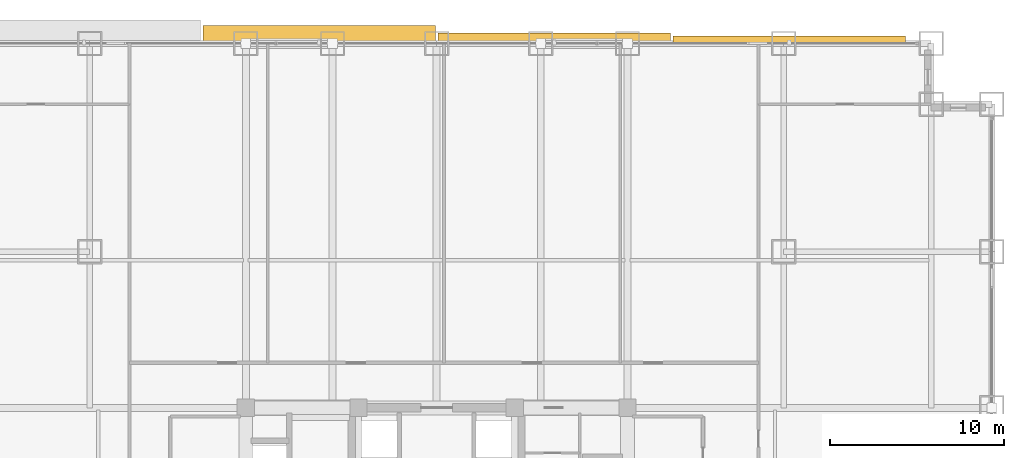
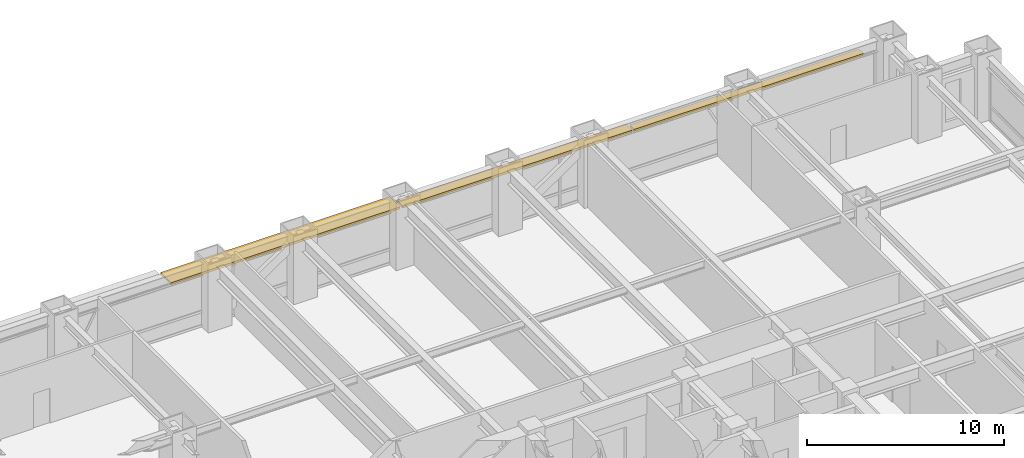
# One storey, part 31 of 31: 3 shading devices.
"""IFC4 building model written with IfcOpenShell, lengths in metres."""

from ifc_helpers import new_model, si_unit, direction, frame, origin, origin_2d, place, context, subcontext, project, spatial, rectangle, extrude, source, transform, mapped, material, layer, layer_set, type_object, element, save


model = new_model("IFC4")

# Units and contexts
model_context = context("Model", 3, precision=1e-05, world=origin(), true_north=direction((0.0, 1.0)))
body_context = subcontext(model_context, "Body", "Model", "MODEL_VIEW")
ifc_project = project(units=[si_unit("LENGTHUNIT", "METRE"), si_unit("AREAUNIT", "SQUARE_METRE"), si_unit("VOLUMEUNIT", "CUBIC_METRE"), si_unit("PLANEANGLEUNIT", "RADIAN"), si_unit("MASSUNIT", "GRAM", prefix="KILO")], contexts=[model_context])

# Site, building, storey
site_placement = place(None, origin())
site = spatial("IfcSite", under=ifc_project, at=site_placement, CompositionType="ELEMENT")
building_placement = place(site_placement, origin())
building = spatial("IfcBuilding", under=site, at=building_placement, Name="Khorayat Bourse Tower", CompositionType="ELEMENT")
storey_placement = place(building_placement, frame((0.0, 0.0, 32.60009765625)))
storey = spatial("IfcBuildingStorey", under=building, at=storey_placement, Name="L06", CompositionType="ELEMENT", Elevation=32.60009765625)

# Shading devices
ifc_material = material(Name="Precast concrete C45/55", Category="concrete")
ifc_layer = layer(ifc_material, 0.139892578125)
ifc_layer_set = layer_set([ifc_layer], Name="Precast concrete C45/55")
shading_device_type = type_object("IfcShadingDeviceType", Name="SHD-WAVE-TRAY-B", PredefinedType="USERDEFINED", material=ifc_layer_set)
shared_shape_1 = source(origin(), body_context, "Body", "SweptSolid", [
    extrude(rectangle(XDim=13.409912109375, YDim=1.058349609375, at=origin_2d()), origin(), (0.0, 0.0, 1.0), 0.139892578125),
])
shading_device_1_placement = place(storey_placement, frame((-6.77490234375, 32.50927734375, 3.18994140625), z_axis=(0.0, 0.0, 1.0), x_axis=(1.0, 0.0, 0.0)))
element("IfcShadingDevice", 1, at=shading_device_1_placement, inside=storey, type_object=shading_device_type, Name="L06 Sinusoidal Wave Sunshade Tray N-2", ObjectType="SUNSHADE", PredefinedType="USERDEFINED", context=body_context, shape_type="MappedRepresentation", body=[
    mapped(shared_shape_1, transform((0.0, 0.0, 0.0), scale=1.0)),
])
shared_shape_2 = source(origin(), body_context, "Body", "SweptSolid", [
    extrude(rectangle(XDim=13.409912109375, YDim=0.627197265625, at=origin_2d()), origin(), (0.0, 0.0, 1.0), 0.139892578125),
])
shading_device_2_placement = place(storey_placement, frame((6.77490234375, 32.293701171875, 3.18994140625), z_axis=(0.0, 0.0, 1.0), x_axis=(1.0, 0.0, 0.0)))
element("IfcShadingDevice", 2, at=shading_device_2_placement, inside=storey, type_object=shading_device_type, Name="L06 Sinusoidal Wave Sunshade Tray N-3", ObjectType="SUNSHADE", PredefinedType="USERDEFINED", context=body_context, shape_type="MappedRepresentation", body=[
    mapped(shared_shape_2, transform((0.0, 0.0, 0.0), scale=1.0)),
])
shared_shape_3 = source(origin(), body_context, "Body", "SweptSolid", [
    extrude(rectangle(XDim=13.409912109375, YDim=0.451171875, at=origin_2d()), origin(), (0.0, 0.0, 1.0), 0.139892578125),
])
shading_device_3_placement = place(storey_placement, frame((20.324951171875, 32.20556640625, 3.18994140625), z_axis=(0.0, 0.0, 1.0), x_axis=(1.0, 0.0, 0.0)))
element("IfcShadingDevice", 3, at=shading_device_3_placement, inside=storey, type_object=shading_device_type, Name="L06 Sinusoidal Wave Sunshade Tray N-4", ObjectType="SUNSHADE", PredefinedType="USERDEFINED", context=body_context, shape_type="MappedRepresentation", body=[
    mapped(shared_shape_3, transform((0.0, 0.0, 0.0), scale=1.0)),
])

save(model, "model.ifc")
